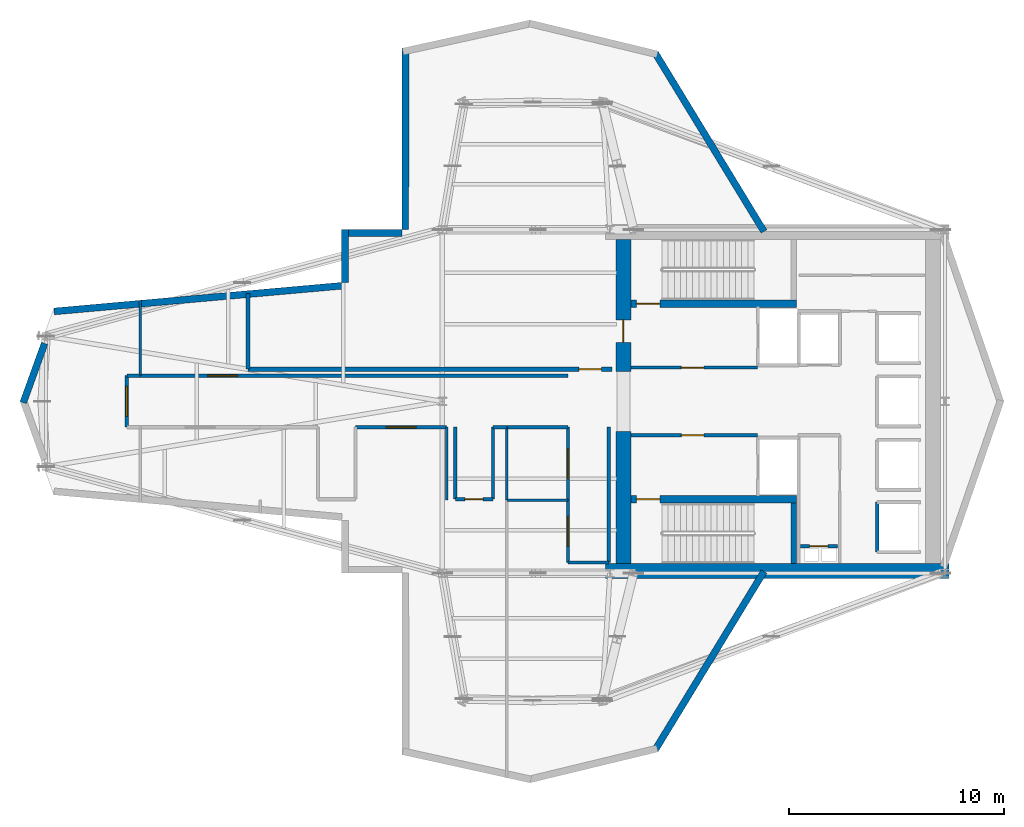
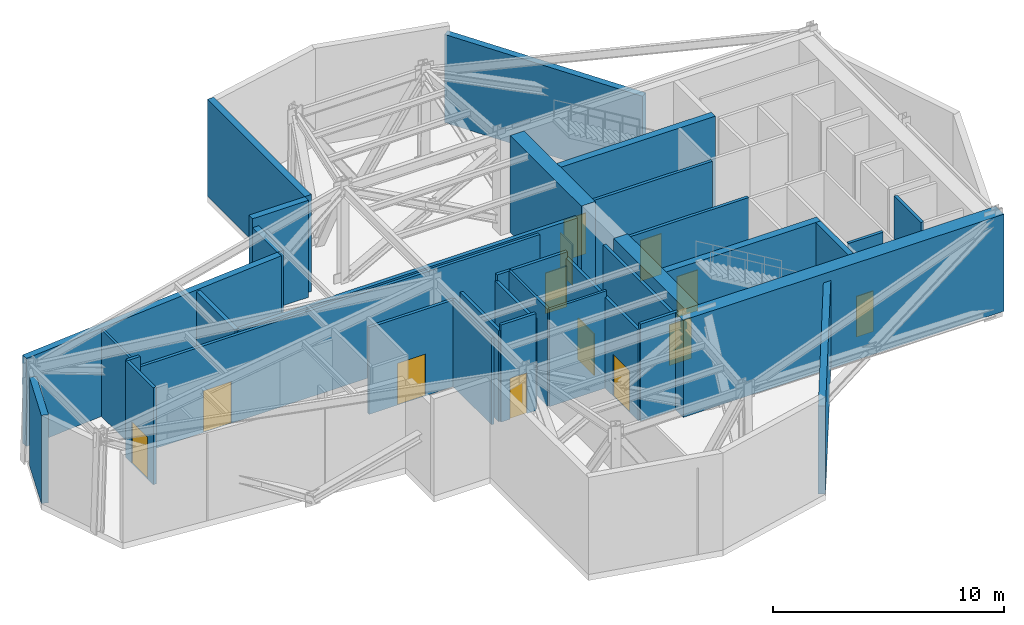
# One storey, part 3 of 5: 36 walls, 13 doors, 13 openings.
"""IFC4 building model written with IfcOpenShell, lengths in metres."""

from ifc_helpers import new_model, si_unit, direction, frame, frame_2d, origin, place, context, subcontext, project, spatial, rectangle, extrude, material, layer, layer_set, type_object, element, fill, save


model = new_model("IFC4")

# Units and contexts
model_context = context("Model", 3, precision=1e-05, world=origin(), true_north=direction((0.0, 1.0)))
body_context = subcontext(model_context, "Body", "Model", "MODEL_VIEW")
ifc_project = project(units=[si_unit("LENGTHUNIT", "METRE"), si_unit("AREAUNIT", "SQUARE_METRE"), si_unit("VOLUMEUNIT", "CUBIC_METRE"), si_unit("PLANEANGLEUNIT", "RADIAN"), si_unit("MASSUNIT", "GRAM", prefix="KILO")], contexts=[model_context])

# Site, building, storey
site_placement = place(None, origin())
site = spatial("IfcSite", under=ifc_project, at=site_placement, CompositionType="ELEMENT")
building_placement = place(site_placement, origin())
building = spatial("IfcBuilding", under=site, at=building_placement, Name="Veymaron Broadcast Tower", CompositionType="ELEMENT")
storey_placement = place(building_placement, frame((0.0, 0.0, 181.64990234375)))
storey = spatial("IfcBuildingStorey", under=building, at=storey_placement, Name="L42", CompositionType="ELEMENT", Elevation=181.64990234375)

# Walls
ifc_material_1 = material(Name="Precast concrete C40/50", Category="concrete")
ifc_layer_1 = layer(ifc_material_1, 0.320068359375)
ifc_layer_set_1 = layer_set([ifc_layer_1], Name="Precast concrete C40/50")
wall_type_1 = type_object("IfcWallType", Name="WALL-EXT-320", PredefinedType="STANDARD", material=ifc_layer_set_1)
wall_1_placement = place(storey_placement, frame((46.175537109375, 31.916748046875, 0.0), z_axis=(0.0, 0.0, 1.0), x_axis=(-0.520630135962, 0.853782326784, 0.0)))
element("IfcWall", 1, at=wall_1_placement, inside=storey, type_object=wall_type_1, Name="L42 mechanical belt-truss facade band 5-1", PredefinedType="STANDARD", context=body_context, shape_type="SweptSolid", body=[
    extrude(rectangle(XDim=9.747314453125, YDim=0.320068359375, at=frame_2d((4.87353515625, 0.0))), origin(), (0.0, 0.0, 1.0), 4.649169921875),
])
wall_2_placement = place(storey_placement, frame((29.488525390625, 40.45263671875, 0.0), z_axis=(0.0, 0.0, 1.0), x_axis=(-0.002657107071, -0.999996469885, 0.0)))
element("IfcWall", 2, at=wall_2_placement, inside=storey, type_object=wall_type_1, Name="L42 mechanical belt-truss facade band 8-1", PredefinedType="STANDARD", context=body_context, shape_type="SweptSolid", body=[
    extrude(rectangle(XDim=8.453125, YDim=0.320068359375, at=frame_2d((4.2265625, 0.0))), origin(), (0.0, 0.0, 1.0), 5.1201171875),
])
wall_3_placement = place(storey_placement, frame((29.30615234375, 31.840087890625, 0.0), z_axis=(0.0, 0.0, 1.0), x_axis=(-1.0, 0.0, 0.0)))
element("IfcWall", 3, at=wall_3_placement, inside=storey, type_object=wall_type_1, Name="L42 mechanical belt-truss facade band 9-1", PredefinedType="STANDARD", context=body_context, shape_type="SweptSolid", body=[
    extrude(rectangle(XDim=2.80224609375, YDim=0.320068359375, at=frame_2d((1.401123046875, 0.0))), origin(), (0.0, 0.0, 1.0), 5.1201171875),
])
wall_4_placement = place(storey_placement, frame((26.6640625, 32.0, 0.0), z_axis=(0.0, 0.0, 1.0), x_axis=(0.0, -1.0, 0.0)))
element("IfcWall", 4, at=wall_4_placement, inside=storey, type_object=wall_type_1, Name="L42 mechanical belt-truss facade band 10-1", PredefinedType="STANDARD", context=body_context, shape_type="SweptSolid", body=[
    extrude(rectangle(XDim=2.453125, YDim=0.320068359375, at=frame_2d((1.2265625, 0.0))), origin(), (0.0, 0.0, 1.0), 4.649169921875),
])
wall_5_placement = place(storey_placement, frame((26.518310546875, 29.387451171875, 0.0), z_axis=(0.0, 0.0, 1.0), x_axis=(-0.996045822268, -0.088840981215, 0.0)))
element("IfcWall", 5, at=wall_5_placement, inside=storey, type_object=wall_type_1, Name="L42 mechanical belt-truss facade band 11-1", PredefinedType="STANDARD", context=body_context, shape_type="SweptSolid", body=[
    extrude(rectangle(XDim=13.457275390625, YDim=0.320068359375, at=frame_2d((6.728515625, 0.0))), origin(), (0.0, 0.0, 1.0), 4.649169921875),
])
wall_6_placement = place(storey_placement, frame((12.674560546875, 26.702880859375, 0.0), z_axis=(0.0, 0.0, 1.0), x_axis=(-0.339763149666, -0.940511032433, 0.0)))
element("IfcWall", 6, at=wall_6_placement, inside=storey, type_object=wall_type_1, Name="L42 mechanical belt-truss facade band 12-1", PredefinedType="STANDARD", context=body_context, shape_type="SweptSolid", body=[
    extrude(rectangle(XDim=2.931640625, YDim=0.320068359375, at=frame_2d((1.4658203125, 0.0))), origin(), (0.0, 0.0, 1.0), 4.649169921875),
])
wall_7_placement = place(storey_placement, frame((41.100830078125, 7.76123046875, 0.0), z_axis=(0.0, 0.0, 1.0), x_axis=(0.520630135962, 0.853782326784, 0.0)))
element("IfcWall", 7, at=wall_7_placement, inside=storey, type_object=wall_type_1, Name="L42 mechanical belt-truss facade band 20-1", PredefinedType="STANDARD", context=body_context, shape_type="SweptSolid", body=[
    extrude(rectangle(XDim=9.747314453125, YDim=0.320068359375, at=frame_2d((4.87353515625, 0.0))), origin(), (0.0, 0.0, 1.0), 4.649169921875),
])

# Wall, opening, door
ifc_material_2 = material(Name="Gypsum fireboard and steel stud framing", Category="steel")
ifc_layer_2 = layer(ifc_material_2, 0.14990234375)
ifc_layer_set_2 = layer_set([ifc_layer_2], Name="Gypsum fireboard and steel stud framing")
wall_type_2 = type_object("IfcWallType", Name="WALL-FIRE-150", PredefinedType="PARTITIONING", material=ifc_layer_set_2)
wall_8_placement = place(storey_placement, frame((39.97998046875, 25.574951171875, 0.0), z_axis=(0.0, 0.0, 1.0), x_axis=(1.0, 0.0, 0.0)))
wall_8 = element("IfcWall", 8, at=wall_8_placement, inside=storey, type_object=wall_type_2, Name="L42 partition IW-L42-FFLN-S", PredefinedType="PARTITIONING", context=body_context, shape_type="SweptSolid", body=[
    extrude(rectangle(XDim=5.89990234375, YDim=0.14990234375, at=frame_2d((2.949951171875, 0.0))), origin(), (0.0, 0.0, 1.0), 5.1201171875),
])
opening_1_placement = place(wall_8_placement, frame((2.35009765625, 0.0, 0.0)))
opening_1 = element("IfcOpeningElement", 9, at=opening_1_placement, cuts=wall_8, Name="Opening ID-FL1", PredefinedType="OPENING", context=body_context, shape_type="SweptSolid", body=[
    extrude(rectangle(XDim=1.050048828125, YDim=2.14990234375, at=frame_2d((0.52490234375, 1.074951171875))), frame((0.0, 0.0849609375, 0.0), z_axis=(0.0, -1.0, 0.0), x_axis=(1.0, 0.0, 0.0)), (0.0, 0.0, 1.0), 0.169921875),
])
ifc_material_3 = material(Name="Fire-rated painted hollow steel ASTM A653", Category="steel")
door_type_1 = type_object("IfcDoorType", Name="DOOR-FIRE-1050", OperationType="NOTDEFINED", PredefinedType="DOOR", material=ifc_material_3)
door_1_placement = place(opening_1_placement, origin())
door_1 = element("IfcDoor", 10, at=door_1_placement, inside=storey, type_object=door_type_1, Name="L42 door DR-L42-FFLN", OperationType="SINGLE_SWING_LEFT", OverallHeight=2.14990234375, OverallWidth=1.050048828125, PredefinedType="DOOR", context=body_context, shape_type="SweptSolid", body=[
    extrude(rectangle(XDim=1.050048828125, YDim=2.14990234375, at=frame_2d((0.52490234375, 1.074951171875))), frame((0.0, 0.02490234375, 0.0), z_axis=(0.0, -1.0, 0.0), x_axis=(1.0, 0.0, 0.0)), (0.0, 0.0, 1.0), 0.050048828125),
])
fill(opening_1, door_1)

wall_9_placement = place(storey_placement, frame((39.97998046875, 22.425048828125, 0.0), z_axis=(0.0, 0.0, 1.0), x_axis=(1.0, 0.0, 0.0)))
wall_9 = element("IfcWall", 11, at=wall_9_placement, inside=storey, type_object=wall_type_2, Name="L42 partition IW-L42-FFLS-N", PredefinedType="PARTITIONING", context=body_context, shape_type="SweptSolid", body=[
    extrude(rectangle(XDim=5.89990234375, YDim=0.14990234375, at=frame_2d((2.949951171875, 0.0))), origin(), (0.0, 0.0, 1.0), 5.1201171875),
])
opening_2_placement = place(wall_9_placement, frame((2.35009765625, 0.0, 0.0)))
opening_2 = element("IfcOpeningElement", 12, at=opening_2_placement, cuts=wall_9, Name="Opening ID-FL1", PredefinedType="OPENING", context=body_context, shape_type="SweptSolid", body=[
    extrude(rectangle(XDim=1.050048828125, YDim=2.14990234375, at=frame_2d((0.52490234375, 1.074951171875))), frame((0.0, 0.0849609375, 0.0), z_axis=(0.0, -1.0, 0.0), x_axis=(1.0, 0.0, 0.0)), (0.0, 0.0, 1.0), 0.169921875),
])
door_2_placement = place(opening_2_placement, frame((1.050048828125, 0.0, 0.0), z_axis=(0.0, 0.0, 1.0), x_axis=(-1.0, 0.0, 0.0)))
door_2 = element("IfcDoor", 13, at=door_2_placement, inside=storey, type_object=door_type_1, Name="L42 door DR-L42-FFLS", OperationType="SINGLE_SWING_RIGHT", OverallHeight=2.14990234375, OverallWidth=1.050048828125, PredefinedType="DOOR", context=body_context, shape_type="SweptSolid", body=[
    extrude(rectangle(XDim=1.050048828125, YDim=2.14990234375, at=frame_2d((0.52490234375, 1.074951171875))), frame((0.0, 0.02490234375, 0.0), z_axis=(0.0, -1.0, 0.0), x_axis=(1.0, 0.0, 0.0)), (0.0, 0.0, 1.0), 0.050048828125),
])
fill(opening_2, door_2)

# Wall
wall_10_placement = place(storey_placement, frame((51.445068359375, 16.989990234375, 0.0), z_axis=(0.0, 0.0, 1.0), x_axis=(0.0, 1.0, 0.0)))
element("IfcWall", 14, at=wall_10_placement, inside=storey, type_object=wall_type_2, Name="L42 partition IW-L42-SHW-PH1", PredefinedType="PARTITIONING", context=body_context, shape_type="SweptSolid", body=[
    extrude(rectangle(XDim=2.320068359375, YDim=0.14990234375, at=frame_2d((1.16015625, 0.0))), origin(), (0.0, 0.0, 1.0), 5.1201171875),
])

# Wall, opening, door
wall_11_placement = place(storey_placement, frame((47.8798828125, 17.260009765625, 0.0), z_axis=(0.0, 0.0, 1.0), x_axis=(1.0, 0.0, 0.0)))
wall_11 = element("IfcWall", 15, at=wall_11_placement, inside=storey, type_object=wall_type_2, Name="L42 partition IW-L42-RIS-N", PredefinedType="PARTITIONING", context=body_context, shape_type="SweptSolid", body=[
    extrude(rectangle(XDim=1.72021484375, YDim=0.14990234375, at=frame_2d((0.860107421875, 0.0))), origin(), (0.0, 0.0, 1.0), 5.1201171875),
])
opening_3_placement = place(wall_11_placement, frame((0.419921875, 0.0, 0.0)))
opening_3 = element("IfcOpeningElement", 16, at=opening_3_placement, cuts=wall_11, Name="Opening ID-RS1", PredefinedType="OPENING", context=body_context, shape_type="SweptSolid", body=[
    extrude(rectangle(XDim=0.85009765625, YDim=2.14990234375, at=frame_2d((0.425048828125, 1.074951171875))), frame((0.0, 0.0849609375, 0.0), z_axis=(0.0, -1.0, 0.0), x_axis=(1.0, 0.0, 0.0)), (0.0, 0.0, 1.0), 0.169921875),
])
ifc_material_4 = material(Name="Fire-rated powder-coated steel riser leaf", Category="steel")
door_type_2 = type_object("IfcDoorType", Name="DOOR-RIS-850", OperationType="NOTDEFINED", PredefinedType="TRAPDOOR", material=ifc_material_4)
door_3_placement = place(opening_3_placement, origin())
door_3 = element("IfcDoor", 17, at=door_3_placement, inside=storey, type_object=door_type_2, Name="L42 door DR-L42-RIS", OperationType="SINGLE_SWING_LEFT", OverallHeight=2.14990234375, OverallWidth=0.85009765625, PredefinedType="TRAPDOOR", context=body_context, shape_type="SweptSolid", body=[
    extrude(rectangle(XDim=0.85009765625, YDim=2.14990234375, at=frame_2d((0.425048828125, 1.074951171875))), frame((0.0, 0.02490234375, 0.0), z_axis=(0.0, -1.0, 0.0), x_axis=(1.0, 0.0, 0.0)), (0.0, 0.0, 1.0), 0.050048828125),
])
fill(opening_3, door_3)

wall_12_placement = place(storey_placement, frame((37.050048828125, 16.5, 0.0), z_axis=(0.0, 0.0, 1.0), x_axis=(0.0, 1.0, 0.0)))
wall_12 = element("IfcWall", 18, at=wall_12_placement, inside=storey, type_object=wall_type_2, Name="L42 partition IW-L42-P02", PredefinedType="PARTITIONING", context=body_context, shape_type="SweptSolid", body=[
    extrude(rectangle(XDim=2.89990234375, YDim=0.14990234375, at=frame_2d((1.449951171875, 0.0))), origin(), (0.0, 0.0, 1.0), 4.798095703125),
])
opening_4_placement = place(wall_12_placement, frame((0.75, 0.0, 0.0)))
opening_4 = element("IfcOpeningElement", 19, at=opening_4_placement, cuts=wall_12, Name="Opening ID-PL1", PredefinedType="OPENING", context=body_context, shape_type="SweptSolid", body=[
    extrude(rectangle(XDim=1.39990234375, YDim=2.199951171875, at=frame_2d((0.699951171875, 1.10009765625))), frame((0.0, 0.0849609375, 0.0), z_axis=(0.0, -1.0, 0.0), x_axis=(1.0, 0.0, 0.0)), (0.0, 0.0, 1.0), 0.169921875),
])
ifc_material_5 = material(Name="Heavy-duty acoustic galvanized steel", Category="steel")
door_type_3 = type_object("IfcDoorType", Name="DOOR-PLANT-1400", OperationType="DOUBLE_DOOR_SINGLE_SWING", PredefinedType="DOOR", material=ifc_material_5)
door_4_placement = place(opening_4_placement, origin())
door_4 = element("IfcDoor", 20, at=door_4_placement, inside=storey, type_object=door_type_3, Name="L42 door DR-L42-P02", OperationType="SINGLE_SWING_LEFT", OverallHeight=2.199951171875, OverallWidth=1.39990234375, PredefinedType="DOOR", context=body_context, shape_type="SweptSolid", body=[
    extrude(rectangle(XDim=1.39990234375, YDim=2.199951171875, at=frame_2d((0.699951171875, 1.10009765625))), frame((0.0, 0.02490234375, 0.0), z_axis=(0.0, -1.0, 0.0), x_axis=(1.0, 0.0, 0.0)), (0.0, 0.0, 1.0), 0.050048828125),
])
fill(opening_4, door_4)

wall_13_placement = place(storey_placement, frame((31.800048828125, 19.449951171875, 0.0), z_axis=(0.0, 0.0, 1.0), x_axis=(1.0, 0.0, 0.0)))
wall_13 = element("IfcWall", 21, at=wall_13_placement, inside=storey, type_object=wall_type_2, Name="L42 partition IW-L42-P06", PredefinedType="PARTITIONING", context=body_context, shape_type="SweptSolid", body=[
    extrude(rectangle(XDim=1.75, YDim=0.14990234375, at=frame_2d((0.875, 0.0))), origin(), (0.0, 0.0, 1.0), 5.1201171875),
])
opening_5_placement = place(wall_13_placement, frame((0.449951171875, 0.0, 0.0)))
opening_5 = element("IfcOpeningElement", 22, at=opening_5_placement, cuts=wall_13, Name="Opening ID-WC1", PredefinedType="OPENING", context=body_context, shape_type="SweptSolid", body=[
    extrude(rectangle(XDim=0.85009765625, YDim=2.14990234375, at=frame_2d((0.425048828125, 1.074951171875))), frame((0.0, 0.0849609375, 0.0), z_axis=(0.0, -1.0, 0.0), x_axis=(1.0, 0.0, 0.0)), (0.0, 0.0, 1.0), 0.169921875),
])
ifc_material_6 = material(Name="Moisture-resistant high-pressure laminate timber", Category="wood")
door_type_4 = type_object("IfcDoorType", Name="DOOR-INT-850", OperationType="NOTDEFINED", PredefinedType="DOOR", material=ifc_material_6)
door_5_placement = place(opening_5_placement, frame((0.85009765625, 0.0, 0.0), z_axis=(0.0, 0.0, 1.0), x_axis=(-1.0, 0.0, 0.0)))
door_5 = element("IfcDoor", 23, at=door_5_placement, inside=storey, type_object=door_type_4, Name="L42 door DR-L42-P06", OperationType="SINGLE_SWING_LEFT", OverallHeight=2.14990234375, OverallWidth=0.85009765625, PredefinedType="DOOR", context=body_context, shape_type="SweptSolid", body=[
    extrude(rectangle(XDim=0.85009765625, YDim=2.14990234375, at=frame_2d((0.425048828125, 1.074951171875))), frame((0.0, 0.02490234375, 0.0), z_axis=(0.0, -1.0, 0.0), x_axis=(1.0, 0.0, 0.0)), (0.0, 0.0, 1.0), 0.050048828125),
])
fill(opening_5, door_5)

wall_14_placement = place(storey_placement, frame((27.14990234375, 22.800048828125, 0.0), z_axis=(0.0, 0.0, 1.0), x_axis=(1.0, 0.0, 0.0)))
wall_14 = element("IfcWall", 24, at=wall_14_placement, inside=storey, type_object=wall_type_2, Name="L42 partition IW-L42-P09", PredefinedType="PARTITIONING", context=body_context, shape_type="SweptSolid", body=[
    extrude(rectangle(XDim=4.25, YDim=0.14990234375, at=frame_2d((2.125, 0.0))), origin(), (0.0, 0.0, 1.0), 4.571044921875),
])
opening_6_placement = place(wall_14_placement, frame((1.425048828125, 0.0, 0.0)))
opening_6 = element("IfcOpeningElement", 25, at=opening_6_placement, cuts=wall_14, Name="Opening ID-PL1", PredefinedType="OPENING", context=body_context, shape_type="SweptSolid", body=[
    extrude(rectangle(XDim=1.39990234375, YDim=2.199951171875, at=frame_2d((0.699951171875, 1.10009765625))), frame((0.0, 0.0849609375, 0.0), z_axis=(0.0, -1.0, 0.0), x_axis=(1.0, 0.0, 0.0)), (0.0, 0.0, 1.0), 0.169921875),
])
door_6_placement = place(opening_6_placement, frame((1.39990234375, 0.0, 0.0), z_axis=(0.0, 0.0, 1.0), x_axis=(-1.0, 0.0, 0.0)))
door_6 = element("IfcDoor", 26, at=door_6_placement, inside=storey, type_object=door_type_3, Name="L42 door DR-L42-P09", OperationType="SINGLE_SWING_LEFT", OverallHeight=2.199951171875, OverallWidth=1.39990234375, PredefinedType="DOOR", context=body_context, shape_type="SweptSolid", body=[
    extrude(rectangle(XDim=1.39990234375, YDim=2.199951171875, at=frame_2d((0.699951171875, 1.10009765625))), frame((0.0, 0.02490234375, 0.0), z_axis=(0.0, -1.0, 0.0), x_axis=(1.0, 0.0, 0.0)), (0.0, 0.0, 1.0), 0.050048828125),
])
fill(opening_6, door_6)

wall_15_placement = place(storey_placement, frame((37.050048828125, 19.39990234375, 0.0), z_axis=(0.0, 0.0, 1.0), x_axis=(0.0, 1.0, 0.0)))
wall_15 = element("IfcWall", 27, at=wall_15_placement, inside=storey, type_object=wall_type_2, Name="L42 partition IW-L42-P14", PredefinedType="PARTITIONING", context=body_context, shape_type="SweptSolid", body=[
    extrude(rectangle(XDim=3.400146484375, YDim=0.14990234375, at=frame_2d((1.7001953125, 0.0))), origin(), (0.0, 0.0, 1.0), 4.798095703125),
])
opening_7_placement = place(wall_15_placement, frame((1.0, 0.0, 0.0)))
opening_7 = element("IfcOpeningElement", 28, at=opening_7_placement, cuts=wall_15, Name="Opening ID-PL1", PredefinedType="OPENING", context=body_context, shape_type="SweptSolid", body=[
    extrude(rectangle(XDim=1.39990234375, YDim=2.199951171875, at=frame_2d((0.699951171875, 1.10009765625))), frame((0.0, 0.0849609375, 0.0), z_axis=(0.0, -1.0, 0.0), x_axis=(1.0, 0.0, 0.0)), (0.0, 0.0, 1.0), 0.169921875),
])
door_7_placement = place(opening_7_placement, origin())
door_7 = element("IfcDoor", 29, at=door_7_placement, inside=storey, type_object=door_type_3, Name="L42 door DR-L42-P14", OperationType="SINGLE_SWING_LEFT", OverallHeight=2.199951171875, OverallWidth=1.39990234375, PredefinedType="DOOR", context=body_context, shape_type="SweptSolid", body=[
    extrude(rectangle(XDim=1.39990234375, YDim=2.199951171875, at=frame_2d((0.699951171875, 1.10009765625))), frame((0.0, 0.02490234375, 0.0), z_axis=(0.0, -1.0, 0.0), x_axis=(1.0, 0.0, 0.0)), (0.0, 0.0, 1.0), 0.050048828125),
])
fill(opening_7, door_7)

wall_16_placement = place(storey_placement, frame((16.5, 22.800048828125, 0.0), z_axis=(0.0, 0.0, 1.0), x_axis=(0.0, 1.0, 0.0)))
wall_16 = element("IfcWall", 30, at=wall_16_placement, inside=storey, type_object=wall_type_2, Name="L42 partition IW-L42-P16", PredefinedType="PARTITIONING", context=body_context, shape_type="SweptSolid", body=[
    extrude(rectangle(XDim=2.39990234375, YDim=0.14990234375, at=frame_2d((1.199951171875, 0.0))), origin(), (0.0, 0.0, 1.0), 5.1201171875),
])
opening_8_placement = place(wall_16_placement, frame((0.5, 0.0, 0.0)))
opening_8 = element("IfcOpeningElement", 31, at=opening_8_placement, cuts=wall_16, Name="Opening ID-PL1", PredefinedType="OPENING", context=body_context, shape_type="SweptSolid", body=[
    extrude(rectangle(XDim=1.39990234375, YDim=2.199951171875, at=frame_2d((0.699951171875, 1.10009765625))), frame((0.0, 0.0849609375, 0.0), z_axis=(0.0, -1.0, 0.0), x_axis=(1.0, 0.0, 0.0)), (0.0, 0.0, 1.0), 0.169921875),
])
door_8_placement = place(opening_8_placement, origin())
door_8 = element("IfcDoor", 32, at=door_8_placement, inside=storey, type_object=door_type_3, Name="L42 door DR-L42-P16", OperationType="SINGLE_SWING_LEFT", OverallHeight=2.199951171875, OverallWidth=1.39990234375, PredefinedType="DOOR", context=body_context, shape_type="SweptSolid", body=[
    extrude(rectangle(XDim=1.39990234375, YDim=2.199951171875, at=frame_2d((0.699951171875, 1.10009765625))), frame((0.0, 0.02490234375, 0.0), z_axis=(0.0, -1.0, 0.0), x_axis=(1.0, 0.0, 0.0)), (0.0, 0.0, 1.0), 0.050048828125),
])
fill(opening_8, door_8)

wall_17_placement = place(storey_placement, frame((17.1201171875, 25.199951171875, 0.0), z_axis=(0.0, 0.0, 1.0), x_axis=(1.0, 0.0, 0.0)))
wall_17 = element("IfcWall", 33, at=wall_17_placement, inside=storey, type_object=wall_type_2, Name="L42 partition IW-L42-P19", PredefinedType="PARTITIONING", context=body_context, shape_type="SweptSolid", body=[
    extrude(rectangle(XDim=19.929931640625, YDim=0.14990234375, at=frame_2d((9.96484375, 0.0))), origin(), (0.0, 0.0, 1.0), 4.571044921875),
])
opening_9_placement = place(wall_17_placement, frame((3.14501953125, 0.0, 0.0)))
opening_9 = element("IfcOpeningElement", 34, at=opening_9_placement, cuts=wall_17, Name="Opening ID-PL1", PredefinedType="OPENING", context=body_context, shape_type="SweptSolid", body=[
    extrude(rectangle(XDim=1.39990234375, YDim=2.199951171875, at=frame_2d((0.699951171875, 1.10009765625))), frame((0.0, 0.0849609375, 0.0), z_axis=(0.0, -1.0, 0.0), x_axis=(1.0, 0.0, 0.0)), (0.0, 0.0, 1.0), 0.169921875),
])
door_9_placement = place(opening_9_placement, frame((1.39990234375, 0.0, 0.0), z_axis=(0.0, 0.0, 1.0), x_axis=(-1.0, 0.0, 0.0)))
door_9 = element("IfcDoor", 35, at=door_9_placement, inside=storey, type_object=door_type_3, Name="L42 door DR-L42-P19", OperationType="SINGLE_SWING_LEFT", OverallHeight=2.199951171875, OverallWidth=1.39990234375, PredefinedType="DOOR", context=body_context, shape_type="SweptSolid", body=[
    extrude(rectangle(XDim=1.39990234375, YDim=2.199951171875, at=frame_2d((0.699951171875, 1.10009765625))), frame((0.0, 0.02490234375, 0.0), z_axis=(0.0, -1.0, 0.0), x_axis=(1.0, 0.0, 0.0)), (0.0, 0.0, 1.0), 0.050048828125),
])
fill(opening_9, door_9)

# Walls
wall_18_placement = place(storey_placement, frame((38.949951171875, 16.5, 0.0), z_axis=(0.0, 0.0, 1.0), x_axis=(0.0, 1.0, 0.0)))
element("IfcWall", 36, at=wall_18_placement, inside=storey, type_object=wall_type_2, Name="L42 partition IW-L42-P01", PredefinedType="PARTITIONING", context=body_context, shape_type="SweptSolid", body=[
    extrude(rectangle(XDim=6.300048828125, YDim=0.14990234375, at=frame_2d((3.14990234375, 0.0))), origin(), (0.0, 0.0, 1.0), 4.798095703125),
])
wall_19_placement = place(storey_placement, frame((37.050048828125, 16.5, 0.0), z_axis=(0.0, 0.0, 1.0), x_axis=(1.0, 0.0, 0.0)))
element("IfcWall", 37, at=wall_19_placement, inside=storey, type_object=wall_type_2, Name="L42 partition IW-L42-P03", PredefinedType="PARTITIONING", context=body_context, shape_type="SweptSolid", body=[
    extrude(rectangle(XDim=1.89990234375, YDim=0.14990234375, at=frame_2d((0.949951171875, 0.0))), origin(), (0.0, 0.0, 1.0), 5.1201171875),
])
for number, where, z_axis, x_axis, name in (
    (38, (33.550048828125, 19.449951171875, 0.0), (0.0, 0.0, 1.0), (0.0, 1.0, 0.0), "L42 partition IW-L42-P04"),
    (39, (31.800048828125, 19.449951171875, 0.0), (0.0, 0.0, 1.0), (0.0, 1.0, 0.0), "L42 partition IW-L42-P05"),
):
    element("IfcWall", number, at=place(storey_placement, frame(where, z_axis=z_axis, x_axis=x_axis)), inside=storey, type_object=wall_type_2, Name=name, PredefinedType="PARTITIONING", context=body_context, shape_type="SweptSolid", body=[
        extrude(rectangle(XDim=3.35009765625, YDim=0.14990234375, at=frame_2d((1.675048828125, 0.0))), origin(), (0.0, 0.0, 1.0), 4.798095703125),
    ])
wall_20_placement = place(storey_placement, frame((33.550048828125, 22.800048828125, 0.0), z_axis=(0.0, 0.0, 1.0), x_axis=(1.0, 0.0, 0.0)))
element("IfcWall", 40, at=wall_20_placement, inside=storey, type_object=wall_type_2, Name="L42 partition IW-L42-P07", PredefinedType="PARTITIONING", context=body_context, shape_type="SweptSolid", body=[
    extrude(rectangle(XDim=0.64990234375, YDim=0.14990234375, at=frame_2d((0.324951171875, 0.0))), origin(), (0.0, 0.0, 1.0), 5.1201171875),
])
wall_21_placement = place(storey_placement, frame((34.199951171875, 22.800048828125, 0.0), z_axis=(0.0, 0.0, 1.0), x_axis=(1.0, 0.0, 0.0)))
element("IfcWall", 41, at=wall_21_placement, inside=storey, type_object=wall_type_2, Name="L42 partition IW-L42-P15", PredefinedType="PARTITIONING", context=body_context, shape_type="SweptSolid", body=[
    extrude(rectangle(XDim=2.85009765625, YDim=0.14990234375, at=frame_2d((1.425048828125, 0.0))), origin(), (0.0, 0.0, 1.0), 5.1201171875),
])
wall_22_placement = place(storey_placement, frame((16.5, 25.199951171875, 0.0), z_axis=(0.0, 0.0, 1.0), x_axis=(1.0, 0.0, 0.0)))
element("IfcWall", 42, at=wall_22_placement, inside=storey, type_object=wall_type_2, Name="L42 partition IW-L42-P18", PredefinedType="PARTITIONING", context=body_context, shape_type="SweptSolid", body=[
    extrude(rectangle(XDim=0.6201171875, YDim=0.14990234375, at=frame_2d((0.31005859375, 0.0))), origin(), (0.0, 0.0, 1.0), 5.1201171875),
])

# Wall, opening, door
ifc_material_7 = material(Name="Concrete C40/50", Category="concrete")
ifc_layer_3 = layer(ifc_material_7, 0.199951171875)
ifc_layer_set_3 = layer_set([ifc_layer_3], Name="Concrete C40/50")
wall_type_3 = type_object("IfcWallType", Name="WALL-FIRE-200", PredefinedType="SOLIDWALL", material=ifc_layer_set_3)
wall_23_placement = place(storey_placement, frame((22.14990234375, 25.5, 0.0), z_axis=(0.0, 0.0, 1.0), x_axis=(1.0, 0.0, 0.0)))
wall_23 = element("IfcWall", 43, at=wall_23_placement, inside=storey, type_object=wall_type_3, Name="L42 partition IW-L42-REFG-S", PredefinedType="SOLIDWALL", context=body_context, shape_type="SweptSolid", body=[
    extrude(rectangle(XDim=16.9501953125, YDim=0.199951171875, at=frame_2d((8.47509765625, 0.0))), origin(), (0.0, 0.0, 1.0), 4.571044921875),
])
opening_10_placement = place(wall_23_placement, frame((15.39990234375, 0.0, 0.0)))
opening_10 = element("IfcOpeningElement", 44, at=opening_10_placement, cuts=wall_23, Name="Opening ID-FL1", PredefinedType="OPENING", context=body_context, shape_type="SweptSolid", body=[
    extrude(rectangle(XDim=1.050048828125, YDim=2.14990234375, at=frame_2d((0.52490234375, 1.074951171875))), frame((0.0, 0.10986328125, 0.0), z_axis=(0.0, -1.0, 0.0), x_axis=(1.0, 0.0, 0.0)), (0.0, 0.0, 1.0), 0.219970703125),
])
door_10_placement = place(opening_10_placement, origin())
door_10 = element("IfcDoor", 45, at=door_10_placement, inside=storey, type_object=door_type_1, Name="L42 door DR-L42-REFG", OperationType="SINGLE_SWING_LEFT", OverallHeight=2.14990234375, OverallWidth=1.050048828125, PredefinedType="DOOR", context=body_context, shape_type="SweptSolid", body=[
    extrude(rectangle(XDim=1.050048828125, YDim=2.14990234375, at=frame_2d((0.52490234375, 1.074951171875))), frame((0.0, 0.02490234375, 0.0), z_axis=(0.0, -1.0, 0.0), x_axis=(1.0, 0.0, 0.0)), (0.0, 0.0, 1.0), 0.050048828125),
])
fill(opening_10, door_10)

# Walls
wall_24_placement = place(storey_placement, frame((22.14990234375, 25.5, 0.0), z_axis=(0.0, 0.0, 1.0), x_axis=(0.0, 1.0, 0.0)))
element("IfcWall", 46, at=wall_24_placement, inside=storey, type_object=wall_type_3, Name="L42 partition IW-L42-REFG-W", PredefinedType="SOLIDWALL", context=body_context, shape_type="SweptSolid", body=[
    extrude(rectangle(XDim=3.5185546875, YDim=0.199951171875, at=frame_2d((1.75927734375, 0.0))), origin(), (0.0, 0.0, 1.0), 4.571044921875),
])
ifc_material_8 = material(Name="Acoustic gypsum board and galvanized stud", Category="gypsum")
ifc_layer_4 = layer(ifc_material_8, 0.1201171875)
ifc_layer_set_4 = layer_set([ifc_layer_4], Name="Acoustic gypsum board and galvanized stud")
wall_type_4 = type_object("IfcWallType", Name="WALL-PART-120", PredefinedType="PARTITIONING", material=ifc_layer_set_4)
wall_25_placement = place(storey_placement, frame((34.199951171875, 19.39990234375, 0.0), z_axis=(0.0, 0.0, 1.0), x_axis=(1.0, 0.0, 0.0)))
element("IfcWall", 47, at=wall_25_placement, inside=storey, type_object=wall_type_4, Name="L42 partition IW-L42-P21", PredefinedType="PARTITIONING", context=body_context, shape_type="SweptSolid", body=[
    extrude(rectangle(XDim=2.85009765625, YDim=0.1201171875, at=frame_2d((1.425048828125, 0.0))), origin(), (0.0, 0.0, 1.0), 5.1201171875),
])
wall_26_placement = place(storey_placement, frame((31.39990234375, 19.39990234375, 0.0), z_axis=(0.0, 0.0, 1.0), x_axis=(0.0, 1.0, 0.0)))
element("IfcWall", 48, at=wall_26_placement, inside=storey, type_object=wall_type_4, Name="L42 partition IW-L42-P24", PredefinedType="PARTITIONING", context=body_context, shape_type="SweptSolid", body=[
    extrude(rectangle(XDim=3.400146484375, YDim=0.1201171875, at=frame_2d((1.7001953125, 0.0))), origin(), (0.0, 0.0, 1.0), 4.571044921875),
])
wall_27_placement = place(storey_placement, frame((34.199951171875, 19.39990234375, 0.0), z_axis=(0.0, 0.0, 1.0), x_axis=(0.0, 1.0, 0.0)))
element("IfcWall", 49, at=wall_27_placement, inside=storey, type_object=wall_type_4, Name="L42 partition IW-L42-P25", PredefinedType="PARTITIONING", context=body_context, shape_type="SweptSolid", body=[
    extrude(rectangle(XDim=3.400146484375, YDim=0.1201171875, at=frame_2d((1.7001953125, 0.0))), origin(), (0.0, 0.0, 1.0), 5.1201171875),
])
wall_28_placement = place(storey_placement, frame((17.1201171875, 25.199951171875, 0.0), z_axis=(0.0, 0.0, 1.0), x_axis=(0.0, 1.0, 0.0)))
element("IfcWall", 50, at=wall_28_placement, inside=storey, type_object=wall_type_4, Name="L42 partition IW-L42-P28", PredefinedType="PARTITIONING", context=body_context, shape_type="SweptSolid", body=[
    extrude(rectangle(XDim=3.510009765625, YDim=0.1201171875, at=frame_2d((1.7548828125, 0.0))), origin(), (0.0, 0.0, 1.0), 4.571044921875),
])
ifc_material_9 = material(Name="Concrete C50/60", Category="concrete")
ifc_layer_5 = layer(ifc_material_9, 0.25)
ifc_layer_set_5 = layer_set([ifc_layer_5], Name="Concrete C50/60")
wall_type_5 = type_object("IfcWallType", Name="WALL-SHEAR-250", PredefinedType="SHEAR", material=ifc_layer_set_5)
wall_29_placement = place(storey_placement, frame((47.56494140625, 16.449951171875, 0.0), z_axis=(0.0, 0.0, 1.0), x_axis=(0.0, 1.0, 0.0)))
element("IfcWall", 51, at=wall_29_placement, inside=storey, type_object=wall_type_5, Name="L42 Core Wall south stair east shear", PredefinedType="SHEAR", context=body_context, shape_type="SweptSolid", body=[
    extrude(rectangle(XDim=2.820068359375, YDim=0.25, at=frame_2d((1.41015625, 0.0))), origin(), (0.0, 0.0, 1.0), 5.1201171875),
])

# Wall, opening, door
ifc_layer_6 = layer(ifc_material_9, 0.35009765625)
ifc_layer_set_6 = layer_set([ifc_layer_6], Name="Concrete C50/60")
wall_type_6 = type_object("IfcWallType", Name="WALL-SHEAR-350", PredefinedType="SHEAR", material=ifc_layer_set_6)
wall_30_placement = place(storey_placement, frame((39.97998046875, 28.554931640625, 0.0), z_axis=(0.0, 0.0, 1.0), x_axis=(1.0, 0.0, 0.0)))
wall_30 = element("IfcWall", 52, at=wall_30_placement, inside=storey, type_object=wall_type_6, Name="L42 Core Wall north stair spine", PredefinedType="SHEAR", context=body_context, shape_type="SweptSolid", body=[
    extrude(rectangle(XDim=7.7099609375, YDim=0.35009765625, at=frame_2d((3.85498046875, 0.0))), origin(), (0.0, 0.0, 1.0), 5.1201171875),
])
opening_11_placement = place(wall_30_placement, frame((0.25, 0.0, 0.0)))
opening_11 = element("IfcOpeningElement", 53, at=opening_11_placement, cuts=wall_30, Name="Opening ID-ST1", PredefinedType="OPENING", context=body_context, shape_type="SweptSolid", body=[
    extrude(rectangle(XDim=1.10009765625, YDim=2.14990234375, at=frame_2d((0.550048828125, 1.074951171875))), frame((0.0, 0.18505859375, 0.0), z_axis=(0.0, -1.0, 0.0), x_axis=(1.0, 0.0, 0.0)), (0.0, 0.0, 1.0), 0.3701171875),
])
door_type_5 = type_object("IfcDoorType", Name="DOOR-STAIR-1100", OperationType="NOTDEFINED", PredefinedType="DOOR", material=ifc_material_3)
door_11_placement = place(opening_11_placement, origin())
door_11 = element("IfcDoor", 54, at=door_11_placement, inside=storey, type_object=door_type_5, Name="L42 exit stair ST1 fire door", OperationType="SINGLE_SWING_LEFT", OverallHeight=2.14990234375, OverallWidth=1.10009765625, PredefinedType="DOOR", context=body_context, shape_type="SweptSolid", body=[
    extrude(rectangle(XDim=1.10009765625, YDim=2.14990234375, at=frame_2d((0.550048828125, 1.074951171875))), frame((0.0, 0.02490234375, 0.0), z_axis=(0.0, -1.0, 0.0), x_axis=(1.0, 0.0, 0.0)), (0.0, 0.0, 1.0), 0.050048828125),
])
fill(opening_11, door_11)

wall_31_placement = place(storey_placement, frame((39.97998046875, 19.445068359375, 0.0), z_axis=(0.0, 0.0, 1.0), x_axis=(1.0, 0.0, 0.0)))
wall_31 = element("IfcWall", 55, at=wall_31_placement, inside=storey, type_object=wall_type_6, Name="L42 Core Wall south stair spine", PredefinedType="SHEAR", context=body_context, shape_type="SweptSolid", body=[
    extrude(rectangle(XDim=7.7099609375, YDim=0.35009765625, at=frame_2d((3.85498046875, 0.0))), origin(), (0.0, 0.0, 1.0), 5.1201171875),
])
opening_12_placement = place(wall_31_placement, frame((0.25, 0.0, 0.0)))
opening_12 = element("IfcOpeningElement", 56, at=opening_12_placement, cuts=wall_31, Name="Opening ID-ST1", PredefinedType="OPENING", context=body_context, shape_type="SweptSolid", body=[
    extrude(rectangle(XDim=1.10009765625, YDim=2.14990234375, at=frame_2d((0.550048828125, 1.074951171875))), frame((0.0, 0.18505859375, 0.0), z_axis=(0.0, -1.0, 0.0), x_axis=(1.0, 0.0, 0.0)), (0.0, 0.0, 1.0), 0.3701171875),
])
door_12_placement = place(opening_12_placement, frame((1.10009765625, 0.0, 0.0), z_axis=(0.0, 0.0, 1.0), x_axis=(-1.0, 0.0, 0.0)))
door_12 = element("IfcDoor", 57, at=door_12_placement, inside=storey, type_object=door_type_5, Name="L42 exit stair ST2 fire door", OperationType="SINGLE_SWING_RIGHT", OverallHeight=2.14990234375, OverallWidth=1.10009765625, PredefinedType="DOOR", context=body_context, shape_type="SweptSolid", body=[
    extrude(rectangle(XDim=1.10009765625, YDim=2.14990234375, at=frame_2d((0.550048828125, 1.074951171875))), frame((0.0, 0.02490234375, 0.0), z_axis=(0.0, -1.0, 0.0), x_axis=(1.0, 0.0, 0.0)), (0.0, 0.0, 1.0), 0.050048828125),
])
fill(opening_12, door_12)

# Walls
ifc_material_10 = material(Name="Concrete C60/75", Category="concrete")
ifc_layer_7 = layer(ifc_material_10, 0.699951171875)
ifc_layer_set_7 = layer_set([ifc_layer_7], Name="Concrete C60/75")
wall_type_7 = type_object("IfcWallType", Name="WALL-SHEAR-700", PredefinedType="SHEAR", material=ifc_layer_set_7)
wall_32_placement = place(storey_placement, frame((38.800048828125, 16.10009765625, 0.0), z_axis=(0.0, 0.0, 1.0), x_axis=(1.0, 0.0, 0.0)))
element("IfcWall", 58, at=wall_32_placement, inside=storey, type_object=wall_type_7, Name="L42 Core Wall south shear", PredefinedType="SHEAR", context=body_context, shape_type="SweptSolid", body=[
    extrude(rectangle(XDim=16.0, YDim=0.699951171875, at=frame_2d((8.0, 0.0))), origin(), (0.0, 0.0, 1.0), 5.1201171875),
])
wall_33_placement = place(storey_placement, frame((39.6298828125, 16.449951171875, 0.0), z_axis=(0.0, 0.0, 1.0), x_axis=(0.0, 1.0, 0.0)))
element("IfcWall", 59, at=wall_33_placement, inside=storey, type_object=wall_type_7, Name="L42 Core Wall west-south shear", PredefinedType="SHEAR", context=body_context, shape_type="SweptSolid", body=[
    extrude(rectangle(XDim=6.150146484375, YDim=0.699951171875, at=frame_2d((3.0751953125, 0.0))), origin(), (0.0, 0.0, 1.0), 5.1201171875),
])

# Wall, opening, door
wall_34_placement = place(storey_placement, frame((39.6298828125, 25.39990234375, 0.0), z_axis=(0.0, 0.0, 1.0), x_axis=(0.0, 1.0, 0.0)))
wall_34 = element("IfcWall", 60, at=wall_34_placement, inside=storey, type_object=wall_type_7, Name="L42 Core Wall west-north shear", PredefinedType="SHEAR", context=body_context, shape_type="SweptSolid", body=[
    extrude(rectangle(XDim=6.150146484375, YDim=0.699951171875, at=frame_2d((3.0751953125, 0.0))), origin(), (0.0, 0.0, 1.0), 5.1201171875),
])
opening_13_placement = place(wall_34_placement, frame((1.35009765625, 0.0, 0.0)))
opening_13 = element("IfcOpeningElement", 61, at=opening_13_placement, cuts=wall_34, Name="Opening ID-FL1", PredefinedType="OPENING", context=body_context, shape_type="SweptSolid", body=[
    extrude(rectangle(XDim=1.050048828125, YDim=2.14990234375, at=frame_2d((0.52490234375, 1.074951171875))), frame((0.0, 0.35986328125, 0.0), z_axis=(0.0, -1.0, 0.0), x_axis=(1.0, 0.0, 0.0)), (0.0, 0.0, 1.0), 0.719970703125),
])
door_13_placement = place(opening_13_placement, origin())
door_13 = element("IfcDoor", 62, at=door_13_placement, inside=storey, type_object=door_type_1, Name="L42 refuge direct stair-lobby fire door", OperationType="SINGLE_SWING_LEFT", OverallHeight=2.14990234375, OverallWidth=1.050048828125, PredefinedType="DOOR", context=body_context, shape_type="SweptSolid", body=[
    extrude(rectangle(XDim=1.050048828125, YDim=2.14990234375, at=frame_2d((0.52490234375, 1.074951171875))), frame((0.0, 0.02490234375, 0.0), z_axis=(0.0, -1.0, 0.0), x_axis=(1.0, 0.0, 0.0)), (0.0, 0.0, 1.0), 0.050048828125),
])
fill(opening_13, door_13)

save(model, "model.ifc")
